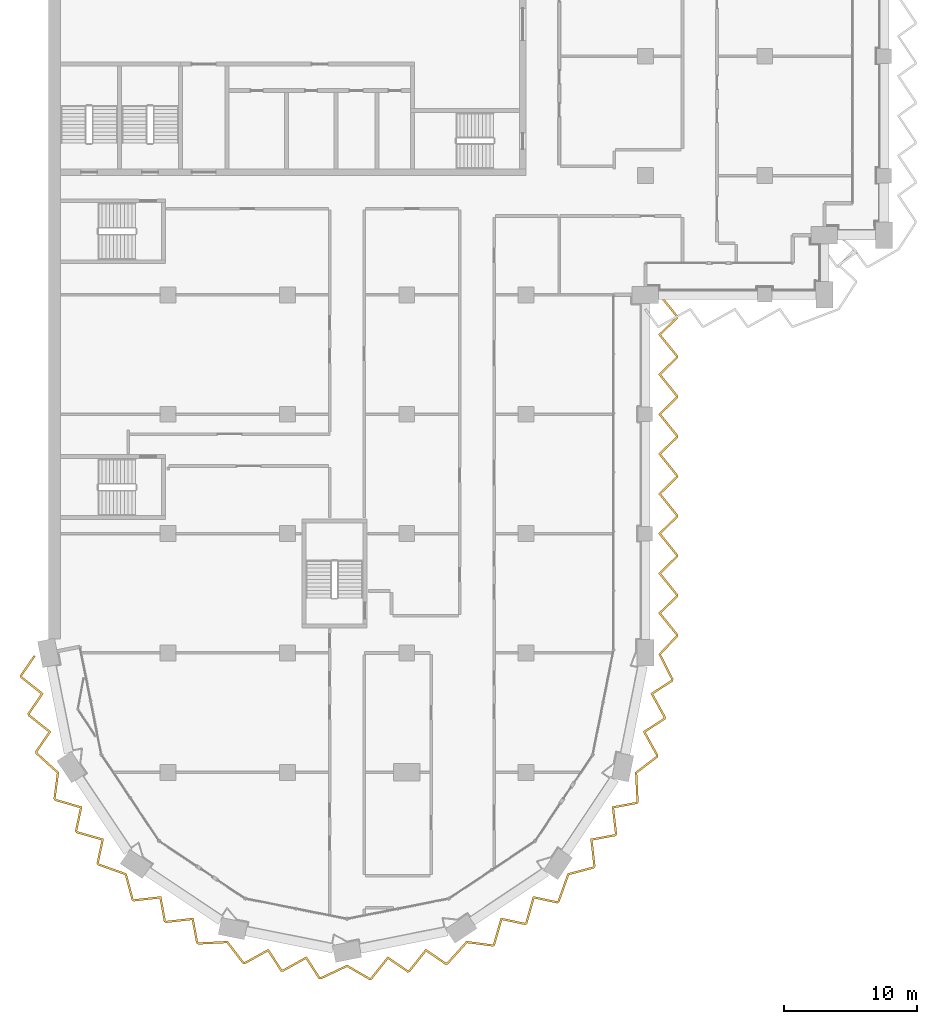
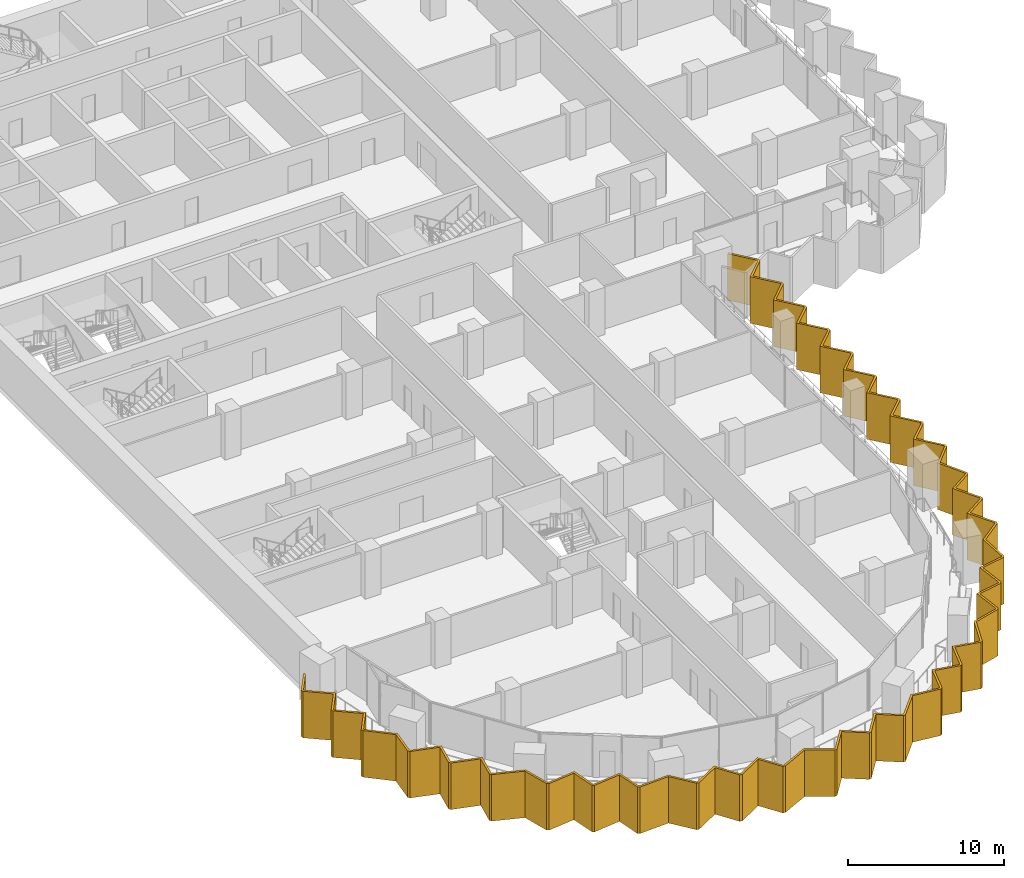
# One storey, part 19 of 23: 1 shading device.
"""IFC4 building model written with IfcOpenShell, lengths in metres."""

from ifc_helpers import new_model, si_unit, direction, frame, origin, place, context, subcontext, project, spatial, polyline, outline, extrude, material, layer, layer_set, type_object, element, save


model = new_model("IFC4")

# Units and contexts
model_context = context("Model", 3, precision=1e-05, world=origin(), true_north=direction((0.0, 1.0)))
body_context = subcontext(model_context, "Body", "Model", "MODEL_VIEW")
ifc_project = project(units=[si_unit("LENGTHUNIT", "METRE"), si_unit("AREAUNIT", "SQUARE_METRE"), si_unit("VOLUMEUNIT", "CUBIC_METRE"), si_unit("PLANEANGLEUNIT", "RADIAN"), si_unit("MASSUNIT", "GRAM", prefix="KILO")], contexts=[model_context])

# Site, building, storey
site_placement = place(None, origin())
site = spatial("IfcSite", under=ifc_project, at=site_placement, CompositionType="ELEMENT")
building_placement = place(site_placement, origin())
building = spatial("IfcBuilding", under=site, at=building_placement, Name="Hunhe Ridgeline Campus", CompositionType="ELEMENT")
storey_placement = place(building_placement, frame((0.0, 0.0, 170.800048828125)))
storey = spatial("IfcBuildingStorey", under=building, at=storey_placement, Name="L43", CompositionType="ELEMENT", Elevation=170.800048828125)

# Shading device
ifc_material = material(Name="Concrete C50", Category="concrete")
ifc_layer = layer(ifc_material, 0.14990234375)
ifc_layer_set = layer_set([ifc_layer], Name="Sawtooth concrete fin 150 Concrete C50")
shading_device_type = type_object("IfcShadingDeviceType", Name="Sawtooth concrete fin 150 Concrete C50", PredefinedType="USERDEFINED", material=ifc_layer_set)
shading_device_placement = place(storey_placement, frame((0.0, 0.0, -0.949951171875)))
element("IfcShadingDevice", 1, at=shading_device_placement, inside=storey, type_object=shading_device_type, Name="Concrete fin screen 1", ObjectType="FIN", PredefinedType="USERDEFINED", context=body_context, shape_type="SweptSolid", body=[
    extrude(outline(polyline([(-0.992431640625, 26.747802734375), (-1.1162109375, 26.832763671875), (-2.161865234375, 25.309814453125), (-2.126953125, 25.13427734375), (-0.584716796875, 23.905029296875), (-1.5908203125, 22.439697265625), (-1.555908203125, 22.26416015625), (-0.013916015625, 21.034912109375), (-1.02001953125, 19.569580078125), (-0.985595703125, 19.396728515625), (0.62060546875, 17.94091796875), (0.364013671875, 15.998046875), (0.461669921875, 15.85205078125), (2.35693359375, 15.306396484375), (1.988037109375, 13.567626953125), (2.08740234375, 13.418701171875), (3.982666015625, 12.873291015625), (3.61376953125, 11.134521484375), (3.7119140625, 10.98779296875), (5.752685546875, 10.2578125), (6.25927734375, 8.364501953125), (6.405517578125, 8.266845703125), (8.364990234375, 8.488037109375), (8.689697265625, 6.740478515625), (8.838623046875, 6.64111328125), (10.79833984375, 6.8623046875), (11.122802734375, 5.11474609375), (11.26953125, 5.016845703125), (13.4345703125, 5.123291015625), (14.627197265625, 3.568115234375), (14.79931640625, 3.53369140625), (16.525146484375, 4.488037109375), (17.493896484375, 2.997802734375), (17.66943359375, 2.962890625), (19.395263671875, 3.917236328125), (20.364013671875, 2.4267578125), (20.537109375, 2.392333984375), (22.49658203125, 3.3193359375), (24.193359375, 2.3388671875), (24.36572265625, 2.373046875), (25.594970703125, 3.915283203125), (27.060302734375, 2.9091796875), (27.23583984375, 2.944091796875), (28.465087890625, 4.486083984375), (29.930419921875, 3.47998046875), (30.103271484375, 3.514404296875), (31.55908203125, 5.12060546875), (33.501953125, 4.864013671875), (33.64794921875, 4.961669921875), (34.193603515625, 6.85693359375), (35.932373046875, 6.488037109375), (36.081298828125, 6.58740234375), (36.626708984375, 8.482666015625), (38.365478515625, 8.11376953125), (38.51220703125, 8.2119140625), (39.2421875, 10.252685546875), (41.135498046875, 10.75927734375), (41.233154296875, 10.905517578125), (41.011962890625, 12.864990234375), (42.759521484375, 13.189697265625), (42.85888671875, 13.338623046875), (42.6376953125, 15.29833984375), (44.38525390625, 15.622802734375), (44.483154296875, 15.76953125), (44.376708984375, 17.9345703125), (45.931884765625, 19.127197265625), (45.96630859375, 19.29931640625), (45.011962890625, 21.025146484375), (46.502197265625, 21.993896484375), (46.537109375, 22.16943359375), (45.582763671875, 23.895263671875), (47.0732421875, 24.864013671875), (47.10791015625, 25.038330078125), (46.166015625, 26.881103515625), (47.449951171875, 28.237548828125), (47.449951171875, 28.4140625), (46.17626953125, 29.993896484375), (47.449951171875, 31.23583984375), (47.449951171875, 31.4140625), (46.17626953125, 32.993896484375), (47.449951171875, 34.23583984375), (47.449951171875, 34.4140625), (46.17626953125, 35.993896484375), (47.449951171875, 37.23583984375), (47.449951171875, 37.4140625), (46.17626953125, 38.993896484375), (47.449951171875, 40.23583984375), (47.449951171875, 40.4140625), (46.17626953125, 41.993896484375), (47.449951171875, 43.23583984375), (47.449951171875, 43.4140625), (46.17626953125, 44.993896484375), (47.449951171875, 46.23583984375), (47.449951171875, 46.4140625), (46.17626953125, 47.993896484375), (47.449951171875, 49.23583984375), (47.449951171875, 49.4140625), (46.17626953125, 50.993896484375), (47.449951171875, 52.23583984375), (47.449951171875, 52.4140625), (46.13330078125, 54.047119140625), (46.0166015625, 53.952880859375), (47.300048828125, 52.361083984375), (47.300048828125, 52.299072265625), (45.973876953125, 51.006103515625), (47.300048828125, 49.361083984375), (47.300048828125, 49.299072265625), (45.973876953125, 48.006103515625), (47.300048828125, 46.361083984375), (47.300048828125, 46.299072265625), (45.973876953125, 45.006103515625), (47.300048828125, 43.361083984375), (47.300048828125, 43.299072265625), (45.973876953125, 42.006103515625), (47.300048828125, 40.361083984375), (47.300048828125, 40.299072265625), (45.973876953125, 39.006103515625), (47.300048828125, 37.361083984375), (47.300048828125, 37.299072265625), (45.973876953125, 36.006103515625), (47.300048828125, 34.361083984375), (47.300048828125, 34.299072265625), (45.973876953125, 33.006103515625), (47.300048828125, 31.361083984375), (47.300048828125, 31.299072265625), (45.973876953125, 30.006103515625), (47.300048828125, 28.361083984375), (47.300048828125, 28.29736328125), (45.984130859375, 26.9072265625), (46.950439453125, 25.016357421875), (46.938232421875, 24.955322265625), (45.384033203125, 23.945068359375), (46.37939453125, 22.14501953125), (46.367431640625, 22.085205078125), (44.81298828125, 21.074951171875), (45.808349609375, 19.27490234375), (45.7958984375, 19.211669921875), (44.22314453125, 18.005859375), (44.3310546875, 15.811767578125), (44.295654296875, 15.7587890625), (42.472900390625, 15.420166015625), (42.70361328125, 13.376220703125), (42.669921875, 13.32568359375), (40.84716796875, 12.987060546875), (41.077880859375, 10.943115234375), (41.042236328125, 10.8896484375), (39.12744140625, 10.37744140625), (38.3876953125, 8.30908203125), (38.334716796875, 8.273681640625), (36.521240234375, 8.658447265625), (35.9521484375, 6.681640625), (35.901611328125, 6.64794921875), (34.088134765625, 7.032470703125), (33.51904296875, 5.055908203125), (33.465576171875, 5.020263671875), (31.500732421875, 5.279541015625), (30.025390625, 3.65185546875), (29.963134765625, 3.639404296875), (28.434814453125, 4.688720703125), (27.15283203125, 3.080322265625), (27.093017578125, 3.068603515625), (25.564697265625, 4.117919921875), (24.28271484375, 2.509521484375), (24.219482421875, 2.4970703125), (22.50341796875, 3.488525390625), (20.517822265625, 2.54931640625), (20.455322265625, 2.561767578125), (19.445068359375, 4.115966796875), (17.64501953125, 3.12060546875), (17.585205078125, 3.132568359375), (16.574951171875, 4.68701171875), (14.77490234375, 3.691650390625), (14.711669921875, 3.7041015625), (13.505859375, 5.27685546875), (11.311767578125, 5.1689453125), (11.2587890625, 5.204345703125), (10.920166015625, 7.027099609375), (8.876220703125, 6.79638671875), (8.82568359375, 6.830078125), (8.487060546875, 8.65283203125), (6.443115234375, 8.422119140625), (6.3896484375, 8.457763671875), (5.87744140625, 10.37255859375), (3.80908203125, 11.1123046875), (3.773681640625, 11.165283203125), (4.158447265625, 12.978759765625), (2.181640625, 13.5478515625), (2.14794921875, 13.598388671875), (2.532470703125, 15.411865234375), (0.555908203125, 15.98095703125), (0.520263671875, 16.034423828125), (0.779541015625, 17.999267578125), (-0.84814453125, 19.474609375), (-0.860595703125, 19.536865234375), (0.188720703125, 21.065185546875), (-1.419677734375, 22.34716796875), (-1.431396484375, 22.406982421875), (-0.382080078125, 23.935302734375), (-1.990478515625, 25.21728515625), (-2.00244140625, 25.277099609375), (-0.992431640625, 26.747802734375)])), origin(), (0.0, 0.0, 1.0), 3.64990234375),
])

save(model, "model.ifc")
